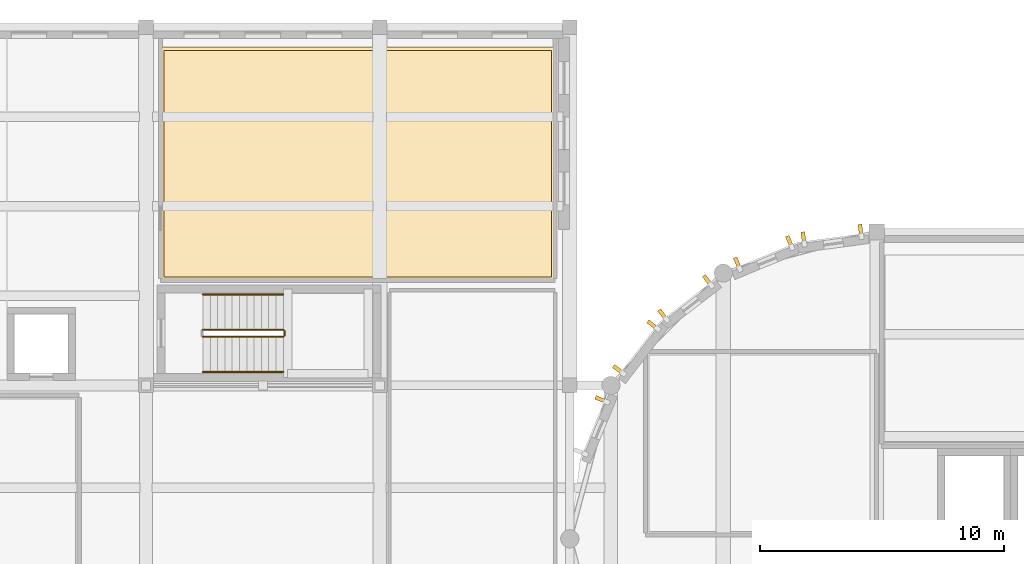
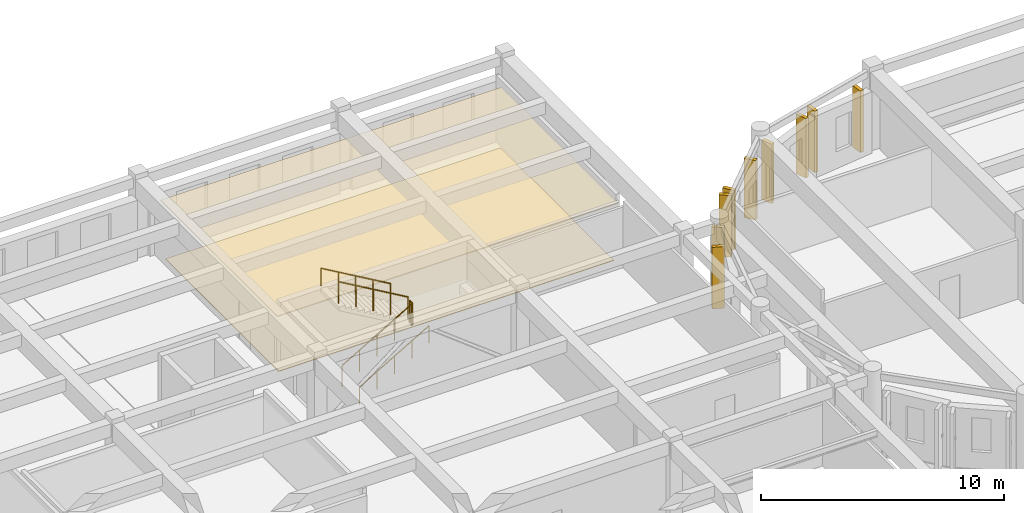
# One storey, part 29 of 31: 11 coverings, 5 railings.
"""IFC4 building model written with IfcOpenShell, lengths in metres."""

from ifc_helpers import new_model, si_unit, direction, frame, origin, origin_2d, place, context, subcontext, project, spatial, polyline, rectangle, circle, outline, extrude, material, layer, layer_set, type_object, element, save


model = new_model("IFC4")

# Units and contexts
model_context = context("Model", 3, precision=1e-05, world=origin(), true_north=direction((0.0, 1.0)))
body_context = subcontext(model_context, "Body", "Model", "MODEL_VIEW")
ifc_project = project(units=[si_unit("LENGTHUNIT", "METRE"), si_unit("AREAUNIT", "SQUARE_METRE"), si_unit("VOLUMEUNIT", "CUBIC_METRE"), si_unit("PLANEANGLEUNIT", "RADIAN"), si_unit("MASSUNIT", "GRAM", prefix="KILO")], contexts=[model_context])

# Site, building, storey
site_placement = place(None, origin())
site = spatial("IfcSite", under=ifc_project, at=site_placement, CompositionType="ELEMENT")
building_placement = place(site_placement, origin())
building = spatial("IfcBuilding", under=site, at=building_placement, Name="Tarnavel Promenade Courthouse", CompositionType="ELEMENT")
storey_placement = place(building_placement, frame((0.0, 0.0, 18.60009765625)))
storey = spatial("IfcBuildingStorey", under=building, at=storey_placement, Name="L05", CompositionType="ELEMENT", Elevation=18.60009765625)

# Railings
ifc_material_1 = material(Name="Brushed Bronze Tubular Stair Handrail")
railing_type_1 = type_object("IfcRailingType", Name="Brushed Bronze Tubular Stair Handrail (RL-HND-0900)", PredefinedType="HANDRAIL", material=ifc_material_1)
railing_1_placement = place(storey_placement, frame((31.139892578125, 98.64990234375, 0.1748046875)))
element("IfcRailing", 1, at=railing_1_placement, inside=storey, type_object=railing_type_1, Name="L05 ST-07 stair handrail 1", PredefinedType="HANDRAIL", context=body_context, shape_type="SweptSolid", body=[
    extrude(circle(Radius=0.02392578125, at=origin_2d()), frame((0.0, 0.0, 0.8759765625), z_axis=(0.863776583165, 0.0, 0.503874998761), x_axis=(0.0, 1.0, 0.0)), (0.0, 0.0, 1.0), 3.820556640625),
    extrude(circle(Radius=0.02099609375, at=origin_2d()), origin(), (0.0, 0.0, 1.0), 0.851806640625),
    extrude(circle(Radius=0.02099609375, at=origin_2d()), frame((0.824951171875, 0.0, 0.481201171875)), (0.0, 0.0, 1.0), 0.851806640625),
    extrude(circle(Radius=0.02099609375, at=origin_2d()), frame((1.64990234375, 0.0, 0.96240234375)), (0.0, 0.0, 1.0), 0.851806640625),
    extrude(circle(Radius=0.02099609375, at=origin_2d()), frame((2.47509765625, 0.0, 1.44384765625)), (0.0, 0.0, 1.0), 0.851806640625),
    extrude(circle(Radius=0.02099609375, at=origin_2d()), frame((3.300048828125, 0.0, 1.925048828125)), (0.0, 0.0, 1.0), 0.851806640625),
])
railing_2_placement = place(storey_placement, frame((34.43994140625, 101.830078125, 2.27490234375)))
element("IfcRailing", 2, at=railing_2_placement, inside=storey, type_object=railing_type_1, Name="L05 ST-07 stair handrail 2", PredefinedType="HANDRAIL", context=body_context, shape_type="SweptSolid", body=[
    extrude(circle(Radius=0.02392578125, at=origin_2d()), frame((0.0, 0.0, 0.8759765625), z_axis=(-0.863776583165, 0.0, 0.503874998761), x_axis=(0.0, -1.0, 0.0)), (0.0, 0.0, 1.0), 3.820556640625),
    extrude(circle(Radius=0.02099609375, at=origin_2d()), origin(), (0.0, 0.0, 1.0), 0.851806640625),
    extrude(circle(Radius=0.02099609375, at=origin_2d()), frame((-0.824951171875, 0.0, 0.481201171875)), (0.0, 0.0, 1.0), 0.851806640625),
    extrude(circle(Radius=0.02099609375, at=origin_2d()), frame((-1.64990234375, 0.0, 0.96240234375)), (0.0, 0.0, 1.0), 0.851806640625),
    extrude(circle(Radius=0.02099609375, at=origin_2d()), frame((-2.47509765625, 0.0, 1.44384765625)), (0.0, 0.0, 1.0), 0.851806640625),
    extrude(circle(Radius=0.02099609375, at=origin_2d()), frame((-3.300048828125, 0.0, 1.925048828125)), (0.0, 0.0, 1.0), 0.851806640625),
])

# Coverings
ifc_material_2 = material(Name="Engineered Smoked Oak Courtroom & Chambers Parquet")
ifc_layer_1 = layer(ifc_material_2, 0.031982421875)
ifc_layer_set_1 = layer_set([ifc_layer_1], Name="Engineered Smoked Oak Courtroom & Chambers Parquet")
covering_type_1 = type_object("IfcCoveringType", Name="Engineered Smoked Oak Courtroom & Chambers Parquet (COV-FLR-OAK-32)", PredefinedType="FLOORING", material=ifc_layer_set_1)
covering_1_placement = place(storey_placement, origin())
element("IfcCovering", 3, at=covering_1_placement, inside=storey, type_object=covering_type_1, Name="L05 Appellate Panel Robing Room Architectural Flooring 0033", PredefinedType="FLOORING", context=body_context, shape_type="SweptSolid", body=[
    extrude(outline(polyline([(29.550048828125, 102.550048828125), (45.449951171875, 102.550048828125), (45.449951171875, 111.85009765625), (29.550048828125, 111.85009765625), (29.550048828125, 102.550048828125)])), origin(), (0.0, 0.0, 1.0), 0.031982421875),
])
ifc_material_3 = material(Name="Micro-Perforated Acoustic Mineral-Fibre Ceiling")
ifc_layer_2 = layer(ifc_material_3, 0.044921875)
ifc_layer_set_2 = layer_set([ifc_layer_2], Name="Micro-Perforated Acoustic Mineral-Fibre Ceiling")
covering_type_2 = type_object("IfcCoveringType", Name="Micro-Perforated Acoustic Mineral-Fibre Ceiling (COV-CLG-MIN-45)", PredefinedType="CEILING", material=ifc_layer_set_2)
covering_2_placement = place(storey_placement, frame((0.0, 0.0, 2.89501953125)))
element("IfcCovering", 4, at=covering_2_placement, inside=storey, type_object=covering_type_2, Name="L05 Appellate Panel Robing Room Acoustic Ceiling 0033", PredefinedType="CEILING", context=body_context, shape_type="SweptSolid", body=[
    extrude(outline(polyline([(29.39990234375, 102.39990234375), (45.60009765625, 102.39990234375), (45.60009765625, 112.0), (29.39990234375, 112.0), (29.39990234375, 102.39990234375)])), origin(), (0.0, 0.0, 1.0), 0.044921875),
])

# Railings
ifc_material_4 = material(Name="Painted Architectural Steel Core Stair Guardrail", Category="steel")
railing_type_2 = type_object("IfcRailingType", Name="Painted Architectural Steel Core Stair Guardrail (RL-GRD-1100)", PredefinedType="GUARDRAIL", material=ifc_material_4)
railing_3_placement = place(storey_placement, frame((31.139892578125, 100.090087890625, 0.1748046875)))
element("IfcRailing", 5, at=railing_3_placement, inside=storey, type_object=railing_type_2, Name="L05 ST-07 stair guard 1", PredefinedType="GUARDRAIL", context=body_context, shape_type="SweptSolid", body=[
    extrude(circle(Radius=0.02392578125, at=origin_2d()), frame((0.0, 0.0, 1.076171875), z_axis=(0.863776583165, 0.0, 0.503874998761), x_axis=(0.0, 1.0, 0.0)), (0.0, 0.0, 1.0), 3.820556640625),
    extrude(circle(Radius=0.02099609375, at=origin_2d()), origin(), (0.0, 0.0, 1.0), 1.052001953125),
    extrude(circle(Radius=0.02099609375, at=origin_2d()), frame((0.824951171875, 0.0, 0.481201171875)), (0.0, 0.0, 1.0), 1.052001953125),
    extrude(circle(Radius=0.02099609375, at=origin_2d()), frame((1.64990234375, 0.0, 0.96240234375)), (0.0, 0.0, 1.0), 1.052001953125),
    extrude(circle(Radius=0.02099609375, at=origin_2d()), frame((2.47509765625, 0.0, 1.44384765625)), (0.0, 0.0, 1.0), 1.052001953125),
    extrude(circle(Radius=0.02099609375, at=origin_2d()), frame((3.300048828125, 0.0, 1.925048828125)), (0.0, 0.0, 1.0), 1.052001953125),
])
railing_4_placement = place(storey_placement, frame((34.489990234375, 100.139892578125, 2.099853515625)))
element("IfcRailing", 6, at=railing_4_placement, inside=storey, type_object=railing_type_2, Name="L05 ST-07 stair guard 2", PredefinedType="GUARDRAIL", context=body_context, shape_type="SweptSolid", body=[
    extrude(circle(Radius=0.02392578125, at=origin_2d()), frame((0.0, 0.0, 1.076171875), z_axis=(0.0, 1.0, 0.0), x_axis=(-1.0, 0.0, 0.0)), (0.0, 0.0, 1.0), 0.2001953125),
    extrude(circle(Radius=0.02099609375, at=origin_2d()), origin(), (0.0, 0.0, 1.0), 1.052001953125),
    extrude(circle(Radius=0.02099609375, at=origin_2d()), frame((0.0, 0.2001953125, 0.0)), (0.0, 0.0, 1.0), 1.052001953125),
])
railing_5_placement = place(storey_placement, frame((34.43994140625, 100.389892578125, 2.27490234375)))
element("IfcRailing", 7, at=railing_5_placement, inside=storey, type_object=railing_type_2, Name="L05 ST-07 stair guard 3", PredefinedType="GUARDRAIL", context=body_context, shape_type="SweptSolid", body=[
    extrude(circle(Radius=0.02392578125, at=origin_2d()), frame((0.0, 0.0, 1.076171875), z_axis=(-0.863776583165, 0.0, 0.503874998761), x_axis=(0.0, -1.0, 0.0)), (0.0, 0.0, 1.0), 3.820556640625),
    extrude(circle(Radius=0.02099609375, at=origin_2d()), origin(), (0.0, 0.0, 1.0), 1.052001953125),
    extrude(circle(Radius=0.02099609375, at=origin_2d()), frame((-0.824951171875, 0.0, 0.481201171875)), (0.0, 0.0, 1.0), 1.052001953125),
    extrude(circle(Radius=0.02099609375, at=origin_2d()), frame((-1.64990234375, 0.0, 0.96240234375)), (0.0, 0.0, 1.0), 1.052001953125),
    extrude(circle(Radius=0.02099609375, at=origin_2d()), frame((-2.47509765625, 0.0, 1.44384765625)), (0.0, 0.0, 1.0), 1.052001953125),
    extrude(circle(Radius=0.02099609375, at=origin_2d()), frame((-3.300048828125, 0.0, 1.925048828125)), (0.0, 0.0, 1.0), 1.052001953125),
])

# Coverings
ifc_material_5 = material(Name="Patinated Copper-Bronze Fluted Pier Cladding")
ifc_layer_3 = layer(ifc_material_5, 0.52001953125)
ifc_layer_set_3 = layer_set([ifc_layer_3], Name="Patinated Copper-Bronze Fluted Pier Cladding")
covering_type_3 = type_object("IfcCoveringType", Name="Patinated Copper-Bronze Fluted Pier Cladding COV-PIER-520 (520 mm)", PredefinedType="CLADDING", material=ifc_layer_set_3)
for number, where, z_axis, x_axis, name in (
    (8, (58.14208984375, 104.45458984375, 0.0), (0.0, 0.0, 1.0), (-0.991444861374, -0.13052619222, 0.0), "L05 W Drum Fluted Copper Pier 0135"),
    (9, (55.798095703125, 104.14599609375, 0.0), (0.0, 0.0, 1.0), (-0.991444861374, -0.13052619222, 0.0), "L05 W Drum Fluted Copper Pier 0136"),
):
    element("IfcCovering", number, at=place(storey_placement, frame(where, z_axis=z_axis, x_axis=x_axis)), inside=storey, type_object=covering_type_3, Name=name, PredefinedType="CLADDING", context=body_context, shape_type="SweptSolid", body=[
        extrude(rectangle(XDim=0.159912109375, YDim=0.52001953125, at=origin_2d()), origin(), (0.0, 0.0, 1.0), 3.090087890625),
    ])
for number, where, z_axis, x_axis, name in (
    (10, (55.2265625, 103.992919921875, 0.0), (0.0, 0.0, 1.0), (-0.923879532511, -0.382683432365, 0.0), "L05 W Drum Fluted Copper Pier 0137"),
    (11, (53.08837890625, 103.107177734375, 0.0), (0.0, 0.0, 1.0), (-0.923879532511, -0.382683432365, 0.0), "L05 W Drum Fluted Copper Pier 0138"),
    (12, (51.86328125, 102.39990234375, 0.0), (0.0, 0.0, 1.0), (-0.793353340291, -0.608761429009, 0.0), "L05 W Drum Fluted Copper Pier 0139"),
    (13, (50.02734375, 100.9912109375, 0.0), (0.0, 0.0, 1.0), (-0.793353340291, -0.608761429009, 0.0), "L05 W Drum Fluted Copper Pier 0140"),
):
    element("IfcCovering", number, at=place(storey_placement, frame(where, z_axis=z_axis, x_axis=x_axis)), inside=storey, type_object=covering_type_3, Name=name, PredefinedType="CLADDING", context=body_context, shape_type="SweptSolid", body=[
        extrude(rectangle(XDim=0.159912109375, YDim=0.52001953125, at=origin_2d()), origin(), (0.0, 0.0, 1.0), 2.989990234375),
    ])
for number, where, z_axis, x_axis, name in (
    (14, (49.60888671875, 100.572509765625, 0.0), (0.0, 0.0, 1.0), (-0.608761429009, -0.793353340291, 0.0), "L05 W Drum Fluted Copper Pier 0141"),
    (15, (48.2001953125, 98.736572265625, 0.0), (0.0, 0.0, 1.0), (-0.608761429009, -0.793353340291, 0.0), "L05 W Drum Fluted Copper Pier 0142"),
    (16, (47.492919921875, 97.511474609375, 0.0), (0.0, 0.0, 1.0), (-0.382683432365, -0.923879532511, 0.0), "L05 W Drum Fluted Copper Pier 0143"),
):
    element("IfcCovering", number, at=place(storey_placement, frame(where, z_axis=z_axis, x_axis=x_axis)), inside=storey, type_object=covering_type_3, Name=name, PredefinedType="CLADDING", context=body_context, shape_type="SweptSolid", body=[
        extrude(rectangle(XDim=0.159912109375, YDim=0.52001953125, at=origin_2d()), origin(), (0.0, 0.0, 1.0), 3.090087890625),
    ])

save(model, "model.ifc")
